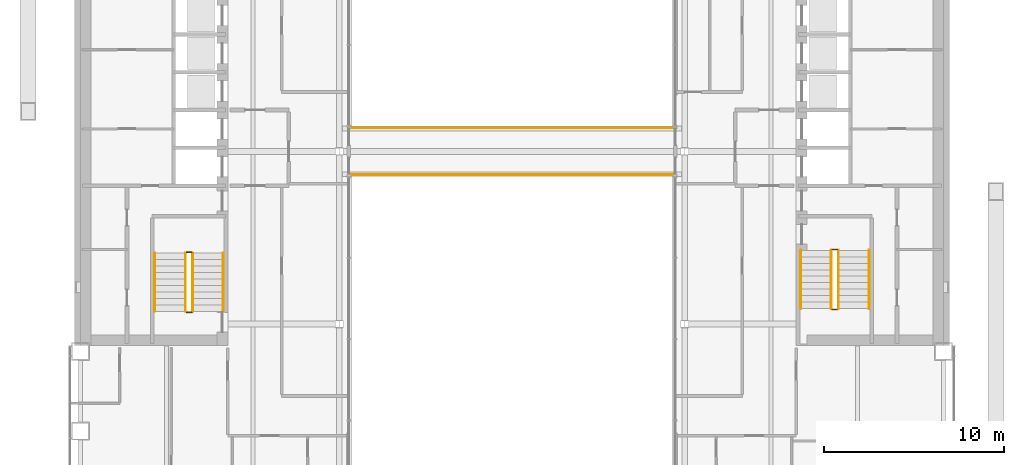
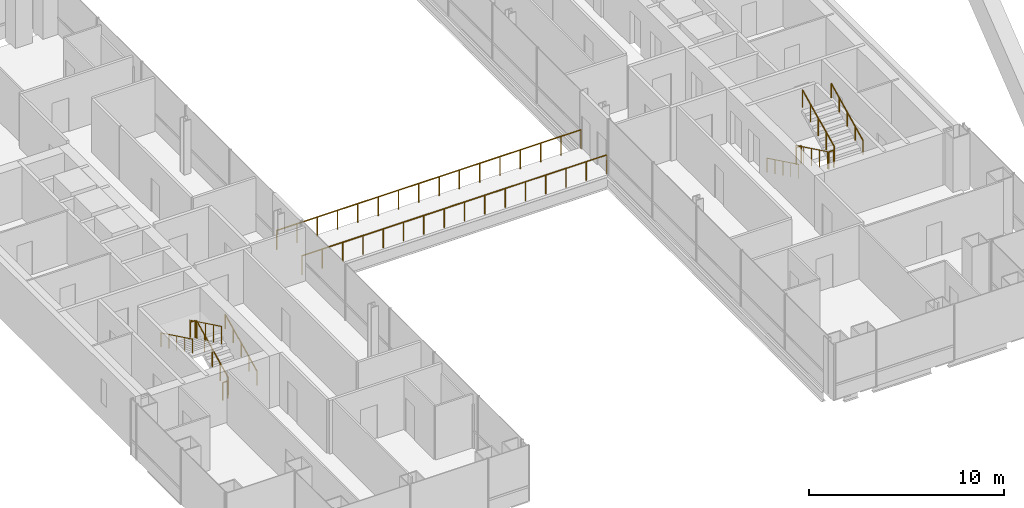
# One storey, part 18 of 19: 14 railings.
"""IFC4 building model written with IfcOpenShell, lengths in metres."""

from ifc_helpers import new_model, si_unit, direction, frame, origin, origin_2d, place, context, subcontext, project, spatial, circle, extrude, material, type_object, element, save


model = new_model("IFC4")

# Units and contexts
model_context = context("Model", 3, precision=1e-05, world=origin(), true_north=direction((0.0, 1.0)))
body_context = subcontext(model_context, "Body", "Model", "MODEL_VIEW")
ifc_project = project(units=[si_unit("LENGTHUNIT", "METRE"), si_unit("AREAUNIT", "SQUARE_METRE"), si_unit("VOLUMEUNIT", "CUBIC_METRE"), si_unit("PLANEANGLEUNIT", "RADIAN"), si_unit("MASSUNIT", "GRAM", prefix="KILO")], contexts=[model_context])

# Site, building, storey
site_placement = place(None, origin())
site = spatial("IfcSite", under=ifc_project, at=site_placement, CompositionType="ELEMENT")
building_placement = place(site_placement, origin())
building = spatial("IfcBuilding", under=site, at=building_placement, Name="Cobrizo Arcos Hotel Tower", CompositionType="ELEMENT")
storey_placement = place(building_placement, frame((0.0, 0.0, 70.5)))
storey = spatial("IfcBuildingStorey", under=building, at=storey_placement, Name="L16", CompositionType="ELEMENT", Elevation=70.5)

# Railings
ifc_material = material(Name="Stainless steel railing", Category="steel")
railing_type_1 = type_object("IfcRailingType", Name="Sky bridge guard 1200", PredefinedType="GUARDRAIL", material=ifc_material)
railing_1_placement = place(storey_placement, frame((-9.0, 1.300048828125, 0.0)))
element("IfcRailing", 1, at=railing_1_placement, inside=storey, type_object=railing_type_1, Name="Sky bridge north guard", PredefinedType="GUARDRAIL", context=body_context, shape_type="SweptSolid", body=[
    extrude(circle(Radius=0.02392578125, at=origin_2d()), frame((0.0, 0.0, 1.17578125), z_axis=(1.0, 0.0, 0.0), x_axis=(0.0, 1.0, 0.0)), (0.0, 0.0, 1.0), 18.0),
    extrude(circle(Radius=0.02099609375, at=origin_2d()), origin(), (0.0, 0.0, 1.0), 1.15185546875),
    extrude(circle(Radius=0.02099609375, at=origin_2d()), frame((1.199951171875, 0.0, 0.0)), (0.0, 0.0, 1.0), 1.15185546875),
    extrude(circle(Radius=0.02099609375, at=origin_2d()), frame((2.39990234375, 0.0, 0.0)), (0.0, 0.0, 1.0), 1.15185546875),
    extrude(circle(Radius=0.02099609375, at=origin_2d()), frame((3.60009765625, 0.0, 0.0)), (0.0, 0.0, 1.0), 1.15185546875),
    extrude(circle(Radius=0.02099609375, at=origin_2d()), frame((4.800048828125, 0.0, 0.0)), (0.0, 0.0, 1.0), 1.15185546875),
    extrude(circle(Radius=0.02099609375, at=origin_2d()), frame((6.0, 0.0, 0.0)), (0.0, 0.0, 1.0), 1.15185546875),
    extrude(circle(Radius=0.02099609375, at=origin_2d()), frame((7.199951171875, 0.0, 0.0)), (0.0, 0.0, 1.0), 1.15185546875),
    extrude(circle(Radius=0.02099609375, at=origin_2d()), frame((8.39990234375, 0.0, 0.0)), (0.0, 0.0, 1.0), 1.15185546875),
    extrude(circle(Radius=0.02099609375, at=origin_2d()), frame((9.60009765625, 0.0, 0.0)), (0.0, 0.0, 1.0), 1.15185546875),
    extrude(circle(Radius=0.02099609375, at=origin_2d()), frame((10.800048828125, 0.0, 0.0)), (0.0, 0.0, 1.0), 1.15185546875),
    extrude(circle(Radius=0.02099609375, at=origin_2d()), frame((12.0, 0.0, 0.0)), (0.0, 0.0, 1.0), 1.15185546875),
    extrude(circle(Radius=0.02099609375, at=origin_2d()), frame((13.199951171875, 0.0, 0.0)), (0.0, 0.0, 1.0), 1.15185546875),
    extrude(circle(Radius=0.02099609375, at=origin_2d()), frame((14.39990234375, 0.0, 0.0)), (0.0, 0.0, 1.0), 1.15185546875),
    extrude(circle(Radius=0.02099609375, at=origin_2d()), frame((15.60009765625, 0.0, 0.0)), (0.0, 0.0, 1.0), 1.15185546875),
    extrude(circle(Radius=0.02099609375, at=origin_2d()), frame((16.800048828125, 0.0, 0.0)), (0.0, 0.0, 1.0), 1.15185546875),
    extrude(circle(Radius=0.02099609375, at=origin_2d()), frame((18.0, 0.0, 0.0)), (0.0, 0.0, 1.0), 1.15185546875),
])
railing_2_placement = place(storey_placement, frame((-9.0, -1.300048828125, 0.0)))
element("IfcRailing", 2, at=railing_2_placement, inside=storey, type_object=railing_type_1, Name="Sky bridge south guard", PredefinedType="GUARDRAIL", context=body_context, shape_type="SweptSolid", body=[
    extrude(circle(Radius=0.02392578125, at=origin_2d()), frame((0.0, 0.0, 1.17578125), z_axis=(1.0, 0.0, 0.0), x_axis=(0.0, 1.0, 0.0)), (0.0, 0.0, 1.0), 18.0),
    extrude(circle(Radius=0.02099609375, at=origin_2d()), origin(), (0.0, 0.0, 1.0), 1.15185546875),
    extrude(circle(Radius=0.02099609375, at=origin_2d()), frame((1.199951171875, 0.0, 0.0)), (0.0, 0.0, 1.0), 1.15185546875),
    extrude(circle(Radius=0.02099609375, at=origin_2d()), frame((2.39990234375, 0.0, 0.0)), (0.0, 0.0, 1.0), 1.15185546875),
    extrude(circle(Radius=0.02099609375, at=origin_2d()), frame((3.60009765625, 0.0, 0.0)), (0.0, 0.0, 1.0), 1.15185546875),
    extrude(circle(Radius=0.02099609375, at=origin_2d()), frame((4.800048828125, 0.0, 0.0)), (0.0, 0.0, 1.0), 1.15185546875),
    extrude(circle(Radius=0.02099609375, at=origin_2d()), frame((6.0, 0.0, 0.0)), (0.0, 0.0, 1.0), 1.15185546875),
    extrude(circle(Radius=0.02099609375, at=origin_2d()), frame((7.199951171875, 0.0, 0.0)), (0.0, 0.0, 1.0), 1.15185546875),
    extrude(circle(Radius=0.02099609375, at=origin_2d()), frame((8.39990234375, 0.0, 0.0)), (0.0, 0.0, 1.0), 1.15185546875),
    extrude(circle(Radius=0.02099609375, at=origin_2d()), frame((9.60009765625, 0.0, 0.0)), (0.0, 0.0, 1.0), 1.15185546875),
    extrude(circle(Radius=0.02099609375, at=origin_2d()), frame((10.800048828125, 0.0, 0.0)), (0.0, 0.0, 1.0), 1.15185546875),
    extrude(circle(Radius=0.02099609375, at=origin_2d()), frame((12.0, 0.0, 0.0)), (0.0, 0.0, 1.0), 1.15185546875),
    extrude(circle(Radius=0.02099609375, at=origin_2d()), frame((13.199951171875, 0.0, 0.0)), (0.0, 0.0, 1.0), 1.15185546875),
    extrude(circle(Radius=0.02099609375, at=origin_2d()), frame((14.39990234375, 0.0, 0.0)), (0.0, 0.0, 1.0), 1.15185546875),
    extrude(circle(Radius=0.02099609375, at=origin_2d()), frame((15.60009765625, 0.0, 0.0)), (0.0, 0.0, 1.0), 1.15185546875),
    extrude(circle(Radius=0.02099609375, at=origin_2d()), frame((16.800048828125, 0.0, 0.0)), (0.0, 0.0, 1.0), 1.15185546875),
    extrude(circle(Radius=0.02099609375, at=origin_2d()), frame((18.0, 0.0, 0.0)), (0.0, 0.0, 1.0), 1.15185546875),
])
railing_type_2 = type_object("IfcRailingType", Name="Stair guard 1100", PredefinedType="GUARDRAIL", material=ifc_material)
railing_3_placement = place(storey_placement, frame((-17.75, -8.89990234375, 0.175048828125)))
element("IfcRailing", 3, at=railing_3_placement, inside=storey, type_object=railing_type_2, Name="L16 ST-W stair guard 1", PredefinedType="GUARDRAIL", context=body_context, shape_type="SweptSolid", body=[
    extrude(circle(Radius=0.02392578125, at=origin_2d()), frame((0.0, 0.0, 1.076171875), z_axis=(0.0, 0.899372665325, 0.437182809435), x_axis=(-1.0, 0.0, 0.0)), (0.0, 0.0, 1.0), 3.6025390625),
    extrude(circle(Radius=0.02099609375, at=origin_2d()), origin(), (0.0, 0.0, 1.0), 1.052001953125),
    extrude(circle(Radius=0.02099609375, at=origin_2d()), frame((0.0, 0.81005859375, 0.393798828125)), (0.0, 0.0, 1.0), 1.052001953125),
    extrude(circle(Radius=0.02099609375, at=origin_2d()), frame((0.0, 1.6201171875, 0.78759765625)), (0.0, 0.0, 1.0), 1.052001953125),
    extrude(circle(Radius=0.02099609375, at=origin_2d()), frame((0.0, 2.429931640625, 1.18115234375)), (0.0, 0.0, 1.0), 1.052001953125),
    extrude(circle(Radius=0.02099609375, at=origin_2d()), frame((0.0, 3.239990234375, 1.574951171875)), (0.0, 0.0, 1.0), 1.052001953125),
])
railing_4_placement = place(storey_placement, frame((-17.800048828125, -5.610107421875, 1.75)))
element("IfcRailing", 4, at=railing_4_placement, inside=storey, type_object=railing_type_2, Name="L16 ST-W stair guard 2", PredefinedType="GUARDRAIL", context=body_context, shape_type="SweptSolid", body=[
    extrude(circle(Radius=0.02392578125, at=origin_2d()), frame((0.0, 0.0, 1.076171875), z_axis=(-1.0, 0.0, 0.0), x_axis=(0.0, -1.0, 0.0)), (0.0, 0.0, 1.0), 0.300048828125),
    extrude(circle(Radius=0.02099609375, at=origin_2d()), origin(), (0.0, 0.0, 1.0), 1.052001953125),
    extrude(circle(Radius=0.02099609375, at=origin_2d()), frame((-0.300048828125, 0.0, 0.0)), (0.0, 0.0, 1.0), 1.052001953125),
])
railing_5_placement = place(storey_placement, frame((-18.14990234375, -5.659912109375, 1.925048828125)))
element("IfcRailing", 5, at=railing_5_placement, inside=storey, type_object=railing_type_2, Name="L16 ST-W stair guard 3", PredefinedType="GUARDRAIL", context=body_context, shape_type="SweptSolid", body=[
    extrude(circle(Radius=0.02392578125, at=origin_2d()), frame((0.0, 0.0, 1.076171875), z_axis=(0.0, -0.899372665325, 0.437182809435), x_axis=(1.0, 0.0, 0.0)), (0.0, 0.0, 1.0), 3.6025390625),
    extrude(circle(Radius=0.02099609375, at=origin_2d()), origin(), (0.0, 0.0, 1.0), 1.052001953125),
    extrude(circle(Radius=0.02099609375, at=origin_2d()), frame((0.0, -0.81005859375, 0.393798828125)), (0.0, 0.0, 1.0), 1.052001953125),
    extrude(circle(Radius=0.02099609375, at=origin_2d()), frame((0.0, -1.6201171875, 0.78759765625)), (0.0, 0.0, 1.0), 1.052001953125),
    extrude(circle(Radius=0.02099609375, at=origin_2d()), frame((0.0, -2.429931640625, 1.18115234375)), (0.0, 0.0, 1.0), 1.052001953125),
    extrude(circle(Radius=0.02099609375, at=origin_2d()), frame((0.0, -3.239990234375, 1.574951171875)), (0.0, 0.0, 1.0), 1.052001953125),
])
railing_6_placement = place(storey_placement, frame((-17.800048828125, -8.949951171875, 0.0)))
element("IfcRailing", 6, at=railing_6_placement, inside=storey, type_object=railing_type_2, Name="L16 ST-W stair guard 4", PredefinedType="GUARDRAIL", context=body_context, shape_type="SweptSolid", body=[
    extrude(circle(Radius=0.02392578125, at=origin_2d()), frame((0.0, 0.0, 1.076171875), z_axis=(-1.0, 0.0, 0.0), x_axis=(0.0, -1.0, 0.0)), (0.0, 0.0, 1.0), 0.300048828125),
    extrude(circle(Radius=0.02099609375, at=origin_2d()), origin(), (0.0, 0.0, 1.0), 1.052001953125),
    extrude(circle(Radius=0.02099609375, at=origin_2d()), frame((-0.300048828125, 0.0, 0.0)), (0.0, 0.0, 1.0), 1.052001953125),
])
railing_7_placement = place(storey_placement, frame((17.75, -5.5, 0.175048828125)))
element("IfcRailing", 7, at=railing_7_placement, inside=storey, type_object=railing_type_2, Name="L16 ST-E stair guard 1", PredefinedType="GUARDRAIL", context=body_context, shape_type="SweptSolid", body=[
    extrude(circle(Radius=0.02392578125, at=origin_2d()), frame((0.0, 0.0, 1.076171875), z_axis=(0.0, -0.899372665325, 0.437182809435), x_axis=(1.0, 0.0, 0.0)), (0.0, 0.0, 1.0), 3.6025390625),
    extrude(circle(Radius=0.02099609375, at=origin_2d()), origin(), (0.0, 0.0, 1.0), 1.052001953125),
    extrude(circle(Radius=0.02099609375, at=origin_2d()), frame((0.0, -0.81005859375, 0.393798828125)), (0.0, 0.0, 1.0), 1.052001953125),
    extrude(circle(Radius=0.02099609375, at=origin_2d()), frame((0.0, -1.6201171875, 0.78759765625)), (0.0, 0.0, 1.0), 1.052001953125),
    extrude(circle(Radius=0.02099609375, at=origin_2d()), frame((0.0, -2.429931640625, 1.18115234375)), (0.0, 0.0, 1.0), 1.052001953125),
    extrude(circle(Radius=0.02099609375, at=origin_2d()), frame((0.0, -3.239990234375, 1.574951171875)), (0.0, 0.0, 1.0), 1.052001953125),
])
railing_8_placement = place(storey_placement, frame((17.800048828125, -8.7900390625, 1.75)))
element("IfcRailing", 8, at=railing_8_placement, inside=storey, type_object=railing_type_2, Name="L16 ST-E stair guard 2", PredefinedType="GUARDRAIL", context=body_context, shape_type="SweptSolid", body=[
    extrude(circle(Radius=0.02392578125, at=origin_2d()), frame((0.0, 0.0, 1.076171875), z_axis=(1.0, 0.0, 0.0), x_axis=(0.0, 1.0, 0.0)), (0.0, 0.0, 1.0), 0.300048828125),
    extrude(circle(Radius=0.02099609375, at=origin_2d()), origin(), (0.0, 0.0, 1.0), 1.052001953125),
    extrude(circle(Radius=0.02099609375, at=origin_2d()), frame((0.300048828125, 0.0, 0.0)), (0.0, 0.0, 1.0), 1.052001953125),
])
railing_9_placement = place(storey_placement, frame((18.14990234375, -8.739990234375, 1.925048828125)))
element("IfcRailing", 9, at=railing_9_placement, inside=storey, type_object=railing_type_2, Name="L16 ST-E stair guard 3", PredefinedType="GUARDRAIL", context=body_context, shape_type="SweptSolid", body=[
    extrude(circle(Radius=0.02392578125, at=origin_2d()), frame((0.0, 0.0, 1.076171875), z_axis=(0.0, 0.899372665325, 0.437182809435), x_axis=(-1.0, 0.0, 0.0)), (0.0, 0.0, 1.0), 3.6025390625),
    extrude(circle(Radius=0.02099609375, at=origin_2d()), origin(), (0.0, 0.0, 1.0), 1.052001953125),
    extrude(circle(Radius=0.02099609375, at=origin_2d()), frame((0.0, 0.81005859375, 0.393798828125)), (0.0, 0.0, 1.0), 1.052001953125),
    extrude(circle(Radius=0.02099609375, at=origin_2d()), frame((0.0, 1.6201171875, 0.78759765625)), (0.0, 0.0, 1.0), 1.052001953125),
    extrude(circle(Radius=0.02099609375, at=origin_2d()), frame((0.0, 2.429931640625, 1.18115234375)), (0.0, 0.0, 1.0), 1.052001953125),
    extrude(circle(Radius=0.02099609375, at=origin_2d()), frame((0.0, 3.239990234375, 1.574951171875)), (0.0, 0.0, 1.0), 1.052001953125),
])
railing_10_placement = place(storey_placement, frame((17.800048828125, -5.449951171875, 0.0)))
element("IfcRailing", 10, at=railing_10_placement, inside=storey, type_object=railing_type_2, Name="L16 ST-E stair guard 4", PredefinedType="GUARDRAIL", context=body_context, shape_type="SweptSolid", body=[
    extrude(circle(Radius=0.02392578125, at=origin_2d()), frame((0.0, 0.0, 1.076171875), z_axis=(1.0, 0.0, 0.0), x_axis=(0.0, 1.0, 0.0)), (0.0, 0.0, 1.0), 0.300048828125),
    extrude(circle(Radius=0.02099609375, at=origin_2d()), origin(), (0.0, 0.0, 1.0), 1.052001953125),
    extrude(circle(Radius=0.02099609375, at=origin_2d()), frame((0.300048828125, 0.0, 0.0)), (0.0, 0.0, 1.0), 1.052001953125),
])
railing_type_3 = type_object("IfcRailingType", Name="Stair handrail", PredefinedType="HANDRAIL", material=ifc_material)
railing_11_placement = place(storey_placement, frame((-16.050048828125, -8.89990234375, 0.175048828125)))
element("IfcRailing", 11, at=railing_11_placement, inside=storey, type_object=railing_type_3, Name="L16 ST-W stair handrail 1", PredefinedType="HANDRAIL", context=body_context, shape_type="SweptSolid", body=[
    extrude(circle(Radius=0.02392578125, at=origin_2d()), frame((0.0, 0.0, 0.8759765625), z_axis=(0.0, 0.899372665325, 0.437182809435), x_axis=(-1.0, 0.0, 0.0)), (0.0, 0.0, 1.0), 3.6025390625),
    extrude(circle(Radius=0.02099609375, at=origin_2d()), origin(), (0.0, 0.0, 1.0), 0.851806640625),
    extrude(circle(Radius=0.02099609375, at=origin_2d()), frame((0.0, 0.81005859375, 0.393798828125)), (0.0, 0.0, 1.0), 0.851806640625),
    extrude(circle(Radius=0.02099609375, at=origin_2d()), frame((0.0, 1.6201171875, 0.78759765625)), (0.0, 0.0, 1.0), 0.851806640625),
    extrude(circle(Radius=0.02099609375, at=origin_2d()), frame((0.0, 2.429931640625, 1.18115234375)), (0.0, 0.0, 1.0), 0.851806640625),
    extrude(circle(Radius=0.02099609375, at=origin_2d()), frame((0.0, 3.239990234375, 1.574951171875)), (0.0, 0.0, 1.0), 0.851806640625),
])
for number, where, name in (
    (12, (-19.85009765625, -5.659912109375, 1.925048828125), "L16 ST-W stair handrail 2"),
    (13, (16.050048828125, -5.5, 0.175048828125), "L16 ST-E stair handrail 1"),
):
    element("IfcRailing", number, at=place(storey_placement, frame(where)), inside=storey, type_object=railing_type_3, Name=name, PredefinedType="HANDRAIL", context=body_context, shape_type="SweptSolid", body=[
        extrude(circle(Radius=0.02392578125, at=origin_2d()), frame((0.0, 0.0, 0.8759765625), z_axis=(0.0, -0.899372665325, 0.437182809435), x_axis=(1.0, 0.0, 0.0)), (0.0, 0.0, 1.0), 3.6025390625),
        extrude(circle(Radius=0.02099609375, at=origin_2d()), origin(), (0.0, 0.0, 1.0), 0.851806640625),
        extrude(circle(Radius=0.02099609375, at=origin_2d()), frame((0.0, -0.81005859375, 0.393798828125)), (0.0, 0.0, 1.0), 0.851806640625),
        extrude(circle(Radius=0.02099609375, at=origin_2d()), frame((0.0, -1.6201171875, 0.78759765625)), (0.0, 0.0, 1.0), 0.851806640625),
        extrude(circle(Radius=0.02099609375, at=origin_2d()), frame((0.0, -2.429931640625, 1.18115234375)), (0.0, 0.0, 1.0), 0.851806640625),
        extrude(circle(Radius=0.02099609375, at=origin_2d()), frame((0.0, -3.239990234375, 1.574951171875)), (0.0, 0.0, 1.0), 0.851806640625),
    ])
railing_12_placement = place(storey_placement, frame((19.85009765625, -8.739990234375, 1.925048828125)))
element("IfcRailing", 14, at=railing_12_placement, inside=storey, type_object=railing_type_3, Name="L16 ST-E stair handrail 2", PredefinedType="HANDRAIL", context=body_context, shape_type="SweptSolid", body=[
    extrude(circle(Radius=0.02392578125, at=origin_2d()), frame((0.0, 0.0, 0.8759765625), z_axis=(0.0, 0.899372665325, 0.437182809435), x_axis=(-1.0, 0.0, 0.0)), (0.0, 0.0, 1.0), 3.6025390625),
    extrude(circle(Radius=0.02099609375, at=origin_2d()), origin(), (0.0, 0.0, 1.0), 0.851806640625),
    extrude(circle(Radius=0.02099609375, at=origin_2d()), frame((0.0, 0.81005859375, 0.393798828125)), (0.0, 0.0, 1.0), 0.851806640625),
    extrude(circle(Radius=0.02099609375, at=origin_2d()), frame((0.0, 1.6201171875, 0.78759765625)), (0.0, 0.0, 1.0), 0.851806640625),
    extrude(circle(Radius=0.02099609375, at=origin_2d()), frame((0.0, 2.429931640625, 1.18115234375)), (0.0, 0.0, 1.0), 0.851806640625),
    extrude(circle(Radius=0.02099609375, at=origin_2d()), frame((0.0, 3.239990234375, 1.574951171875)), (0.0, 0.0, 1.0), 0.851806640625),
])

save(model, "model.ifc")
